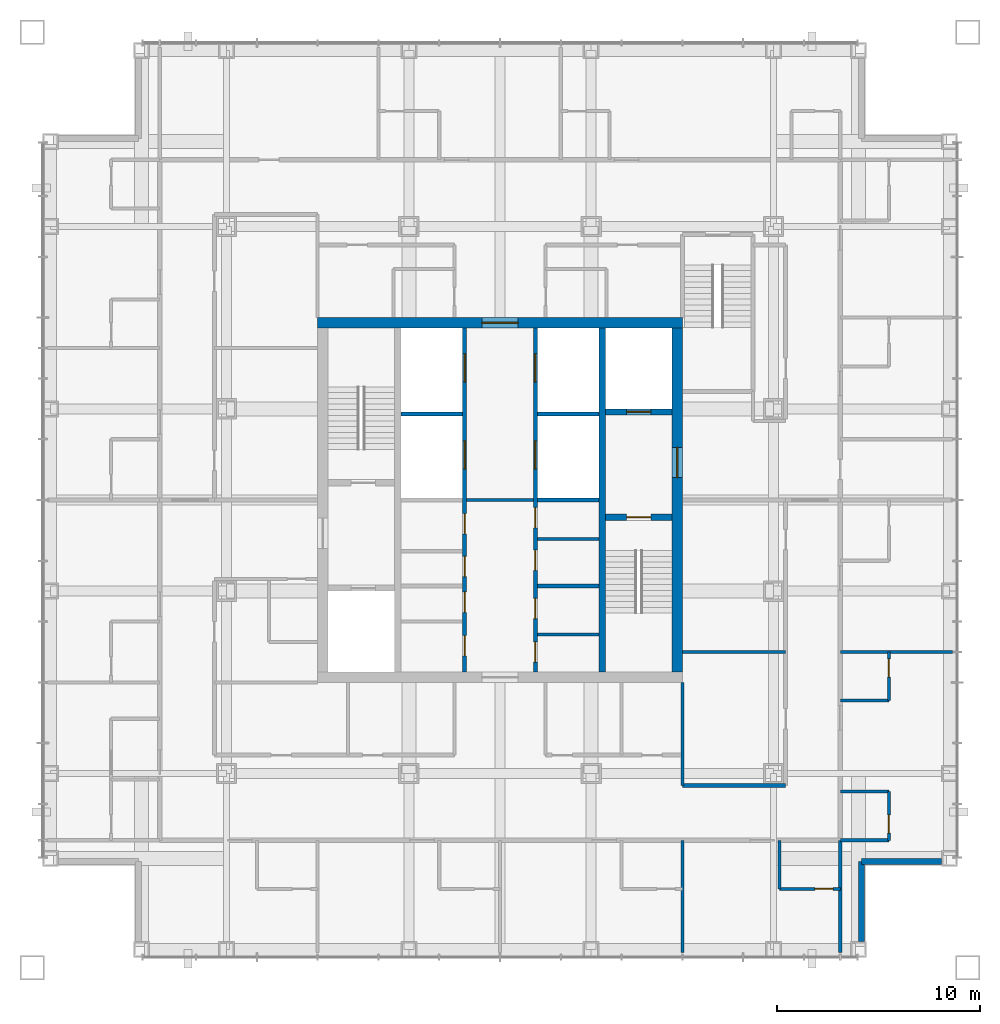
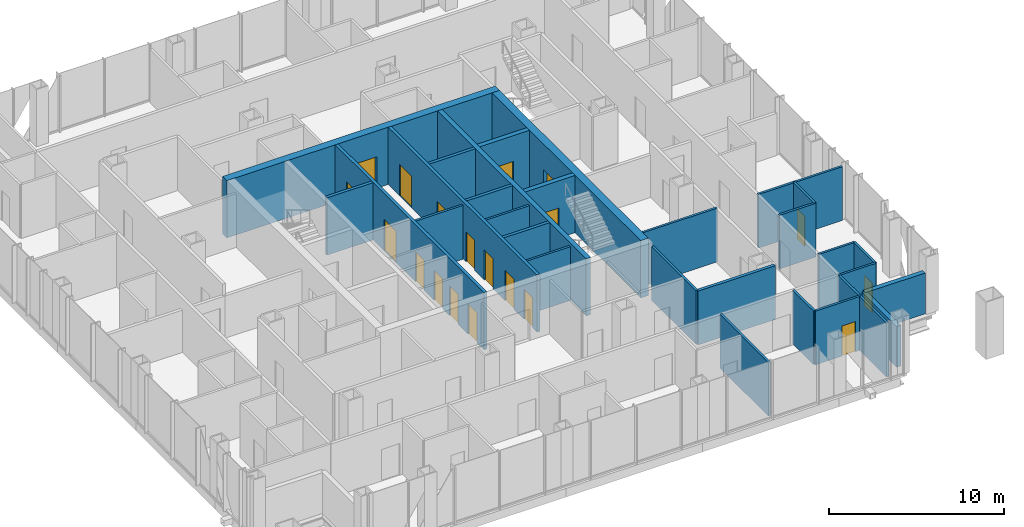
# One storey, part 9 of 12: 29 walls, 19 doors, 19 openings.
"""IFC4 building model written with IfcOpenShell, lengths in metres."""

from ifc_helpers import new_model, si_unit, direction, frame, frame_2d, origin, place, context, subcontext, project, spatial, rectangle, extrude, material, layer, layer_set, type_object, element, fill, save


model = new_model("IFC4")

# Units and contexts
model_context = context("Model", 3, precision=1e-05, world=origin(), true_north=direction((0.0, 1.0)))
body_context = subcontext(model_context, "Body", "Model", "MODEL_VIEW")
ifc_project = project(units=[si_unit("LENGTHUNIT", "METRE"), si_unit("AREAUNIT", "SQUARE_METRE"), si_unit("VOLUMEUNIT", "CUBIC_METRE"), si_unit("PLANEANGLEUNIT", "RADIAN"), si_unit("MASSUNIT", "GRAM", prefix="KILO")], contexts=[model_context])

# Site, building, storey
site_placement = place(None, origin())
site = spatial("IfcSite", under=ifc_project, at=site_placement, CompositionType="ELEMENT")
building_placement = place(site_placement, origin())
building = spatial("IfcBuilding", under=site, at=building_placement, Name="Malebo Sky Hospital", CompositionType="ELEMENT")
storey_placement = place(building_placement, frame((0.0, 0.0, 221.0)))
storey = spatial("IfcBuildingStorey", under=building, at=storey_placement, Name="L53", CompositionType="ELEMENT", Elevation=221.0)

# Wall, openings, doors
ifc_material_1 = material(Name="Concrete C80/95", Category="concrete")
ifc_layer_1 = layer(ifc_material_1, 0.199951171875)
ifc_layer_set_1 = layer_set([ifc_layer_1], Name="CORE INNER WALL 200")
wall_type_1 = type_object("IfcWallType", Name="CORE INNER WALL 200", PredefinedType="SHEAR", material=ifc_layer_set_1)
wall_1_placement = place(storey_placement, frame((58.25, 53.5, 0.0), z_axis=(0.0, 0.0, 1.0), x_axis=(0.0, 1.0, 0.0)))
wall_1 = element("IfcWall", 1, at=wall_1_placement, inside=storey, type_object=wall_type_1, Name="Core wall LW L53", PredefinedType="SHEAR", context=body_context, shape_type="SweptSolid", body=[
    extrude(rectangle(XDim=17.0, YDim=0.199951171875, at=frame_2d((8.5, 0.0))), origin(), (0.0, 0.0, 1.0), 4.0),
])
opening_1_placement = place(wall_1_placement, frame((0.8076171875, 0.0, 0.0)))
opening_1 = element("IfcOpeningElement", 2, at=opening_1_placement, cuts=wall_1, Name="Opening D17", PredefinedType="OPENING", context=body_context, shape_type="SweptSolid", body=[
    extrude(rectangle(XDim=1.0, YDim=2.10009765625, at=frame_2d((0.5, 1.050048828125))), frame((0.0, 0.10986328125, 0.0), z_axis=(0.0, -1.0, 0.0), x_axis=(1.0, 0.0, 0.0)), (0.0, 0.0, 1.0), 0.219970703125),
])
opening_2_placement = place(wall_1_placement, frame((2.95751953125, 0.0, 0.0)))
opening_2 = element("IfcOpeningElement", 3, at=opening_2_placement, cuts=wall_1, Name="Opening D17", PredefinedType="OPENING", context=body_context, shape_type="SweptSolid", body=[
    extrude(rectangle(XDim=1.0, YDim=2.10009765625, at=frame_2d((0.5, 1.050048828125))), frame((0.0, 0.10986328125, 0.0), z_axis=(0.0, -1.0, 0.0), x_axis=(1.0, 0.0, 0.0)), (0.0, 0.0, 1.0), 0.219970703125),
])
opening_3_placement = place(wall_1_placement, frame((4.722412109375, 0.0, 0.0)))
opening_3 = element("IfcOpeningElement", 4, at=opening_3_placement, cuts=wall_1, Name="Opening D17", PredefinedType="OPENING", context=body_context, shape_type="SweptSolid", body=[
    extrude(rectangle(XDim=1.0, YDim=2.10009765625, at=frame_2d((0.5, 1.050048828125))), frame((0.0, 0.10986328125, 0.0), z_axis=(0.0, -1.0, 0.0), x_axis=(1.0, 0.0, 0.0)), (0.0, 0.0, 1.0), 0.219970703125),
])
opening_4_placement = place(wall_1_placement, frame((6.822509765625, 0.0, 0.0)))
opening_4 = element("IfcOpeningElement", 5, at=opening_4_placement, cuts=wall_1, Name="Opening D17", PredefinedType="OPENING", context=body_context, shape_type="SweptSolid", body=[
    extrude(rectangle(XDim=1.0, YDim=2.10009765625, at=frame_2d((0.5, 1.050048828125))), frame((0.0, 0.10986328125, 0.0), z_axis=(0.0, -1.0, 0.0), x_axis=(1.0, 0.0, 0.0)), (0.0, 0.0, 1.0), 0.219970703125),
])
opening_5_placement = place(wall_1_placement, frame((10.02490234375, 0.0, 0.0)))
opening_5 = element("IfcOpeningElement", 6, at=opening_5_placement, cuts=wall_1, Name="Opening LD1", PredefinedType="OPENING", context=body_context, shape_type="SweptSolid", body=[
    extrude(rectangle(XDim=1.39990234375, YDim=2.199951171875, at=frame_2d((0.699951171875, 1.10009765625))), frame((0.0, 0.10986328125, 0.0), z_axis=(0.0, -1.0, 0.0), x_axis=(1.0, 0.0, 0.0)), (0.0, 0.0, 1.0), 0.219970703125),
])
opening_6_placement = place(wall_1_placement, frame((14.324951171875, 0.0, 0.0)))
opening_6 = element("IfcOpeningElement", 7, at=opening_6_placement, cuts=wall_1, Name="Opening LD1", PredefinedType="OPENING", context=body_context, shape_type="SweptSolid", body=[
    extrude(rectangle(XDim=1.39990234375, YDim=2.199951171875, at=frame_2d((0.699951171875, 1.10009765625))), frame((0.0, 0.10986328125, 0.0), z_axis=(0.0, -1.0, 0.0), x_axis=(1.0, 0.0, 0.0)), (0.0, 0.0, 1.0), 0.219970703125),
])
ifc_material_2 = material(Name="Hardwood-faced door leaf in steel frame", Category="steel")
door_type_1 = type_object("IfcDoorType", Name="FIRE DOOR 1000", OperationType="SINGLE_SWING_LEFT", PredefinedType="DOOR", material=ifc_material_2)
door_1_placement = place(opening_1_placement, origin())
door_1 = element("IfcDoor", 8, at=door_1_placement, inside=storey, type_object=door_type_1, Name="Mattress store door", OperationType="SINGLE_SWING_RIGHT", OverallHeight=2.10009765625, OverallWidth=1.0, PredefinedType="DOOR", context=body_context, shape_type="SweptSolid", body=[
    extrude(rectangle(XDim=1.0, YDim=2.10009765625, at=frame_2d((0.5, 1.050048828125))), frame((0.0, 0.02490234375, 0.0), z_axis=(0.0, -1.0, 0.0), x_axis=(1.0, 0.0, 0.0)), (0.0, 0.0, 1.0), 0.050048828125),
])
fill(opening_1, door_1)
door_2_placement = place(opening_2_placement, origin())
door_2 = element("IfcDoor", 9, at=door_2_placement, inside=storey, type_object=door_type_1, Name="Cleaning equipment store door", OperationType="SINGLE_SWING_RIGHT", OverallHeight=2.10009765625, OverallWidth=1.0, PredefinedType="DOOR", context=body_context, shape_type="SweptSolid", body=[
    extrude(rectangle(XDim=1.0, YDim=2.10009765625, at=frame_2d((0.5, 1.050048828125))), frame((0.0, 0.02490234375, 0.0), z_axis=(0.0, -1.0, 0.0), x_axis=(1.0, 0.0, 0.0)), (0.0, 0.0, 1.0), 0.050048828125),
])
fill(opening_2, door_2)
door_3_placement = place(opening_3_placement, origin())
door_3 = element("IfcDoor", 10, at=door_3_placement, inside=storey, type_object=door_type_1, Name="Archive store door", OperationType="SINGLE_SWING_RIGHT", OverallHeight=2.10009765625, OverallWidth=1.0, PredefinedType="DOOR", context=body_context, shape_type="SweptSolid", body=[
    extrude(rectangle(XDim=1.0, YDim=2.10009765625, at=frame_2d((0.5, 1.050048828125))), frame((0.0, 0.02490234375, 0.0), z_axis=(0.0, -1.0, 0.0), x_axis=(1.0, 0.0, 0.0)), (0.0, 0.0, 1.0), 0.050048828125),
])
fill(opening_3, door_3)
door_4_placement = place(opening_4_placement, origin())
door_4 = element("IfcDoor", 11, at=door_4_placement, inside=storey, type_object=door_type_1, Name="General store door", OperationType="SINGLE_SWING_RIGHT", OverallHeight=2.10009765625, OverallWidth=1.0, PredefinedType="DOOR", context=body_context, shape_type="SweptSolid", body=[
    extrude(rectangle(XDim=1.0, YDim=2.10009765625, at=frame_2d((0.5, 1.050048828125))), frame((0.0, 0.02490234375, 0.0), z_axis=(0.0, -1.0, 0.0), x_axis=(1.0, 0.0, 0.0)), (0.0, 0.0, 1.0), 0.050048828125),
])
fill(opening_4, door_4)
ifc_material_3 = material(Name="Stainless steel sliding landing door", Category="steel")
door_type_2 = type_object("IfcDoorType", Name="LIFT LANDING DOOR 1400", OperationType="SLIDING_TO_LEFT", PredefinedType="DOOR", material=ifc_material_3)
door_5_placement = place(opening_5_placement, origin())
door_5 = element("IfcDoor", 12, at=door_5_placement, inside=storey, type_object=door_type_2, Name="Lift W3 landing door", OperationType="SLIDING_TO_LEFT", OverallHeight=2.199951171875, OverallWidth=1.39990234375, PredefinedType="DOOR", context=body_context, shape_type="SweptSolid", body=[
    extrude(rectangle(XDim=1.39990234375, YDim=2.199951171875, at=frame_2d((0.699951171875, 1.10009765625))), frame((0.0, 0.02490234375, 0.0), z_axis=(0.0, -1.0, 0.0), x_axis=(1.0, 0.0, 0.0)), (0.0, 0.0, 1.0), 0.050048828125),
])
fill(opening_5, door_5)
door_6_placement = place(opening_6_placement, origin())
door_6 = element("IfcDoor", 13, at=door_6_placement, inside=storey, type_object=door_type_2, Name="Lift W4 landing door", OperationType="SLIDING_TO_LEFT", OverallHeight=2.199951171875, OverallWidth=1.39990234375, PredefinedType="DOOR", context=body_context, shape_type="SweptSolid", body=[
    extrude(rectangle(XDim=1.39990234375, YDim=2.199951171875, at=frame_2d((0.699951171875, 1.10009765625))), frame((0.0, 0.02490234375, 0.0), z_axis=(0.0, -1.0, 0.0), x_axis=(1.0, 0.0, 0.0)), (0.0, 0.0, 1.0), 0.050048828125),
])
fill(opening_6, door_6)

wall_2_placement = place(storey_placement, frame((61.75, 53.5, 0.0), z_axis=(0.0, 0.0, 1.0), x_axis=(0.0, 1.0, 0.0)))
wall_2 = element("IfcWall", 14, at=wall_2_placement, inside=storey, type_object=wall_type_1, Name="Core wall LE L53", PredefinedType="SHEAR", context=body_context, shape_type="SweptSolid", body=[
    extrude(rectangle(XDim=17.0, YDim=0.199951171875, at=frame_2d((8.5, 0.0))), origin(), (0.0, 0.0, 1.0), 4.0),
])
opening_7_placement = place(wall_2_placement, frame((0.49609375, 0.0, 0.0)))
opening_7 = element("IfcOpeningElement", 15, at=opening_7_placement, cuts=wall_2, Name="Opening D17", PredefinedType="OPENING", context=body_context, shape_type="SweptSolid", body=[
    extrude(rectangle(XDim=1.0, YDim=2.10009765625, at=frame_2d((0.5, 1.050048828125))), frame((0.0, 0.10986328125, 0.0), z_axis=(0.0, -1.0, 0.0), x_axis=(1.0, 0.0, 0.0)), (0.0, 0.0, 1.0), 0.219970703125),
])
opening_8_placement = place(wall_2_placement, frame((2.64599609375, 0.0, 0.0)))
opening_8 = element("IfcOpeningElement", 16, at=opening_8_placement, cuts=wall_2, Name="Opening D17", PredefinedType="OPENING", context=body_context, shape_type="SweptSolid", body=[
    extrude(rectangle(XDim=1.0, YDim=2.10009765625, at=frame_2d((0.5, 1.050048828125))), frame((0.0, 0.10986328125, 0.0), z_axis=(0.0, -1.0, 0.0), x_axis=(1.0, 0.0, 0.0)), (0.0, 0.0, 1.0), 0.219970703125),
])
opening_9_placement = place(wall_2_placement, frame((5.026611328125, 0.0, 0.0)))
opening_9 = element("IfcOpeningElement", 17, at=opening_9_placement, cuts=wall_2, Name="Opening D17", PredefinedType="OPENING", context=body_context, shape_type="SweptSolid", body=[
    extrude(rectangle(XDim=1.0, YDim=2.10009765625, at=frame_2d((0.5, 1.050048828125))), frame((0.0, 0.10986328125, 0.0), z_axis=(0.0, -1.0, 0.0), x_axis=(1.0, 0.0, 0.0)), (0.0, 0.0, 1.0), 0.219970703125),
])
opening_10_placement = place(wall_2_placement, frame((7.12646484375, 0.0, 0.0)))
opening_10 = element("IfcOpeningElement", 18, at=opening_10_placement, cuts=wall_2, Name="Opening D17", PredefinedType="OPENING", context=body_context, shape_type="SweptSolid", body=[
    extrude(rectangle(XDim=1.0, YDim=2.10009765625, at=frame_2d((0.5, 1.050048828125))), frame((0.0, 0.10986328125, 0.0), z_axis=(0.0, -1.0, 0.0), x_axis=(1.0, 0.0, 0.0)), (0.0, 0.0, 1.0), 0.219970703125),
])
opening_11_placement = place(wall_2_placement, frame((10.02490234375, 0.0, 0.0)))
opening_11 = element("IfcOpeningElement", 19, at=opening_11_placement, cuts=wall_2, Name="Opening LD1", PredefinedType="OPENING", context=body_context, shape_type="SweptSolid", body=[
    extrude(rectangle(XDim=1.39990234375, YDim=2.199951171875, at=frame_2d((0.699951171875, 1.10009765625))), frame((0.0, 0.10986328125, 0.0), z_axis=(0.0, -1.0, 0.0), x_axis=(1.0, 0.0, 0.0)), (0.0, 0.0, 1.0), 0.219970703125),
])
opening_12_placement = place(wall_2_placement, frame((14.324951171875, 0.0, 0.0)))
opening_12 = element("IfcOpeningElement", 20, at=opening_12_placement, cuts=wall_2, Name="Opening LD1", PredefinedType="OPENING", context=body_context, shape_type="SweptSolid", body=[
    extrude(rectangle(XDim=1.39990234375, YDim=2.199951171875, at=frame_2d((0.699951171875, 1.10009765625))), frame((0.0, 0.10986328125, 0.0), z_axis=(0.0, -1.0, 0.0), x_axis=(1.0, 0.0, 0.0)), (0.0, 0.0, 1.0), 0.219970703125),
])
door_7_placement = place(opening_7_placement, origin())
door_7 = element("IfcDoor", 21, at=door_7_placement, inside=storey, type_object=door_type_1, Name="Records store door", OperationType="SINGLE_SWING_RIGHT", OverallHeight=2.10009765625, OverallWidth=1.0, PredefinedType="DOOR", context=body_context, shape_type="SweptSolid", body=[
    extrude(rectangle(XDim=1.0, YDim=2.10009765625, at=frame_2d((0.5, 1.050048828125))), frame((0.0, 0.02490234375, 0.0), z_axis=(0.0, -1.0, 0.0), x_axis=(1.0, 0.0, 0.0)), (0.0, 0.0, 1.0), 0.050048828125),
])
fill(opening_7, door_7)
door_8_placement = place(opening_8_placement, origin())
door_8 = element("IfcDoor", 22, at=door_8_placement, inside=storey, type_object=door_type_1, Name="Equipment store door", OperationType="SINGLE_SWING_RIGHT", OverallHeight=2.10009765625, OverallWidth=1.0, PredefinedType="DOOR", context=body_context, shape_type="SweptSolid", body=[
    extrude(rectangle(XDim=1.0, YDim=2.10009765625, at=frame_2d((0.5, 1.050048828125))), frame((0.0, 0.02490234375, 0.0), z_axis=(0.0, -1.0, 0.0), x_axis=(1.0, 0.0, 0.0)), (0.0, 0.0, 1.0), 0.050048828125),
])
fill(opening_8, door_8)
door_9_placement = place(opening_9_placement, origin())
door_9 = element("IfcDoor", 23, at=door_9_placement, inside=storey, type_object=door_type_1, Name="Linen store door", OperationType="SINGLE_SWING_RIGHT", OverallHeight=2.10009765625, OverallWidth=1.0, PredefinedType="DOOR", context=body_context, shape_type="SweptSolid", body=[
    extrude(rectangle(XDim=1.0, YDim=2.10009765625, at=frame_2d((0.5, 1.050048828125))), frame((0.0, 0.02490234375, 0.0), z_axis=(0.0, -1.0, 0.0), x_axis=(1.0, 0.0, 0.0)), (0.0, 0.0, 1.0), 0.050048828125),
])
fill(opening_9, door_9)
door_10_placement = place(opening_10_placement, origin())
door_10 = element("IfcDoor", 24, at=door_10_placement, inside=storey, type_object=door_type_1, Name="Supplies store door", OperationType="SINGLE_SWING_RIGHT", OverallHeight=2.10009765625, OverallWidth=1.0, PredefinedType="DOOR", context=body_context, shape_type="SweptSolid", body=[
    extrude(rectangle(XDim=1.0, YDim=2.10009765625, at=frame_2d((0.5, 1.050048828125))), frame((0.0, 0.02490234375, 0.0), z_axis=(0.0, -1.0, 0.0), x_axis=(1.0, 0.0, 0.0)), (0.0, 0.0, 1.0), 0.050048828125),
])
fill(opening_10, door_10)
door_11_placement = place(opening_11_placement, origin())
door_11 = element("IfcDoor", 25, at=door_11_placement, inside=storey, type_object=door_type_2, Name="Lift E3 landing door", OperationType="SLIDING_TO_LEFT", OverallHeight=2.199951171875, OverallWidth=1.39990234375, PredefinedType="DOOR", context=body_context, shape_type="SweptSolid", body=[
    extrude(rectangle(XDim=1.39990234375, YDim=2.199951171875, at=frame_2d((0.699951171875, 1.10009765625))), frame((0.0, 0.02490234375, 0.0), z_axis=(0.0, -1.0, 0.0), x_axis=(1.0, 0.0, 0.0)), (0.0, 0.0, 1.0), 0.050048828125),
])
fill(opening_11, door_11)
door_12_placement = place(opening_12_placement, origin())
door_12 = element("IfcDoor", 26, at=door_12_placement, inside=storey, type_object=door_type_2, Name="Lift E4 landing door", OperationType="SLIDING_TO_LEFT", OverallHeight=2.199951171875, OverallWidth=1.39990234375, PredefinedType="DOOR", context=body_context, shape_type="SweptSolid", body=[
    extrude(rectangle(XDim=1.39990234375, YDim=2.199951171875, at=frame_2d((0.699951171875, 1.10009765625))), frame((0.0, 0.02490234375, 0.0), z_axis=(0.0, -1.0, 0.0), x_axis=(1.0, 0.0, 0.0)), (0.0, 0.0, 1.0), 0.050048828125),
])
fill(opening_12, door_12)

# Walls
for number, where, z_axis, x_axis, name in (
    (27, (61.85009765625, 57.75, 0.0), (0.0, 0.0, 1.0), (1.0, 0.0, 0.0), "Core wall SE0 L53"),
    (28, (61.85009765625, 62.0, 0.0), (0.0, 0.0, 1.0), (1.0, 0.0, 0.0), "Core wall SE1 L53"),
    (29, (55.10009765625, 66.25, 0.0), (0.0, 0.0, 1.0), (1.0, 0.0, 0.0), "Core wall SW2 L53"),
    (30, (61.85009765625, 66.25, 0.0), (0.0, 0.0, 1.0), (1.0, 0.0, 0.0), "Core wall SE2 L53"),
):
    element("IfcWall", number, at=place(storey_placement, frame(where, z_axis=z_axis, x_axis=x_axis)), inside=storey, type_object=wall_type_1, Name=name, PredefinedType="SHEAR", context=body_context, shape_type="SweptSolid", body=[
        extrude(rectangle(XDim=3.0498046875, YDim=0.199951171875, at=frame_2d((1.52490234375, 0.0))), origin(), (0.0, 0.0, 1.0), 4.0),
    ])
ifc_layer_2 = layer(ifc_material_1, 0.300048828125)
ifc_layer_set_2 = layer_set([ifc_layer_2], Name="CORE INNER WALL 300")
wall_type_2 = type_object("IfcWallType", Name="CORE INNER WALL 300", PredefinedType="SHEAR", material=ifc_layer_set_2)
wall_3_placement = place(storey_placement, frame((65.050048828125, 53.5, 0.0), z_axis=(0.0, 0.0, 1.0), x_axis=(0.0, 1.0, 0.0)))
element("IfcWall", 31, at=wall_3_placement, inside=storey, type_object=wall_type_2, Name="Core wall XE L53", PredefinedType="SHEAR", context=body_context, shape_type="SweptSolid", body=[
    extrude(rectangle(XDim=17.0, YDim=0.300048828125, at=frame_2d((8.5, 0.0))), origin(), (0.0, 0.0, 1.0), 4.0),
])

# Wall, opening, door
wall_4_placement = place(storey_placement, frame((65.199951171875, 61.14990234375, 0.0), z_axis=(0.0, 0.0, 1.0), x_axis=(1.0, 0.0, 0.0)))
wall_4 = element("IfcWall", 32, at=wall_4_placement, inside=storey, type_object=wall_type_2, Name="Core wall E1 L53", PredefinedType="SHEAR", context=body_context, shape_type="SweptSolid", body=[
    extrude(rectangle(XDim=3.300048828125, YDim=0.300048828125, at=frame_2d((1.64990234375, 0.0))), origin(), (0.0, 0.0, 1.0), 4.0),
])
opening_13_placement = place(wall_4_placement, frame((1.050048828125, 0.0, 0.0)))
opening_13 = element("IfcOpeningElement", 33, at=opening_13_placement, cuts=wall_4, Name="Opening D08", PredefinedType="OPENING", context=body_context, shape_type="SweptSolid", body=[
    extrude(rectangle(XDim=1.199951171875, YDim=2.10009765625, at=frame_2d((0.60009765625, 1.050048828125))), frame((0.0, 0.159912109375, 0.0), z_axis=(0.0, -1.0, 0.0), x_axis=(1.0, 0.0, 0.0)), (0.0, 0.0, 1.0), 0.320068359375),
])
door_type_3 = type_object("IfcDoorType", Name="STAIR DOOR 1200", OperationType="SINGLE_SWING_LEFT", PredefinedType="DOOR", material=ifc_material_2)
door_13_placement = place(opening_13_placement, origin())
door_13 = element("IfcDoor", 34, at=door_13_placement, inside=storey, type_object=door_type_3, Name="Stair S2 door", OperationType="SINGLE_SWING_LEFT", OverallHeight=2.10009765625, OverallWidth=1.199951171875, PredefinedType="DOOR", context=body_context, shape_type="SweptSolid", body=[
    extrude(rectangle(XDim=1.199951171875, YDim=2.10009765625, at=frame_2d((0.60009765625, 1.050048828125))), frame((0.0, 0.02490234375, 0.0), z_axis=(0.0, -1.0, 0.0), x_axis=(1.0, 0.0, 0.0)), (0.0, 0.0, 1.0), 0.050048828125),
])
fill(opening_13, door_13)

wall_5_placement = place(storey_placement, frame((65.199951171875, 66.35009765625, 0.0), z_axis=(0.0, 0.0, 1.0), x_axis=(1.0, 0.0, 0.0)))
wall_5 = element("IfcWall", 35, at=wall_5_placement, inside=storey, type_object=wall_type_2, Name="Core wall E2 L53", PredefinedType="SHEAR", context=body_context, shape_type="SweptSolid", body=[
    extrude(rectangle(XDim=3.300048828125, YDim=0.300048828125, at=frame_2d((1.64990234375, 0.0))), origin(), (0.0, 0.0, 1.0), 4.0),
])
opening_14_placement = place(wall_5_placement, frame((1.050048828125, 0.0, 0.0)))
opening_14 = element("IfcOpeningElement", 36, at=opening_14_placement, cuts=wall_5, Name="Opening LD2", PredefinedType="OPENING", context=body_context, shape_type="SweptSolid", body=[
    extrude(rectangle(XDim=1.199951171875, YDim=2.199951171875, at=frame_2d((0.60009765625, 1.10009765625))), frame((0.0, 0.159912109375, 0.0), z_axis=(0.0, -1.0, 0.0), x_axis=(1.0, 0.0, 0.0)), (0.0, 0.0, 1.0), 0.320068359375),
])
door_type_4 = type_object("IfcDoorType", Name="FIRE-FIGHTING LIFT LANDING DOOR 1200", OperationType="SLIDING_TO_LEFT", PredefinedType="DOOR", material=ifc_material_3)
door_14_placement = place(opening_14_placement, origin())
door_14 = element("IfcDoor", 37, at=door_14_placement, inside=storey, type_object=door_type_4, Name="Lift FL2 landing door", OperationType="SLIDING_TO_LEFT", OverallHeight=2.199951171875, OverallWidth=1.199951171875, PredefinedType="DOOR", context=body_context, shape_type="SweptSolid", body=[
    extrude(rectangle(XDim=1.199951171875, YDim=2.199951171875, at=frame_2d((0.60009765625, 1.10009765625))), frame((0.0, 0.02490234375, 0.0), z_axis=(0.0, -1.0, 0.0), x_axis=(1.0, 0.0, 0.0)), (0.0, 0.0, 1.0), 0.050048828125),
])
fill(opening_14, door_14)

ifc_layer_3 = layer(ifc_material_1, 0.5)
ifc_layer_set_3 = layer_set([ifc_layer_3], Name="CORE WALL 500")
wall_type_3 = type_object("IfcWallType", Name="CORE WALL 500", PredefinedType="SHEAR", material=ifc_layer_set_3)
wall_6_placement = place(storey_placement, frame((51.0, 70.75, 0.0), z_axis=(0.0, 0.0, 1.0), x_axis=(1.0, 0.0, 0.0)))
wall_6 = element("IfcWall", 38, at=wall_6_placement, inside=storey, type_object=wall_type_3, Name="Core wall N L53", PredefinedType="SHEAR", context=body_context, shape_type="SweptSolid", body=[
    extrude(rectangle(XDim=18.0, YDim=0.5, at=frame_2d((9.0, 0.0))), origin(), (0.0, 0.0, 1.0), 4.0),
])
opening_15_placement = place(wall_6_placement, frame((8.10009765625, 0.0, 0.0)))
opening_15 = element("IfcOpeningElement", 39, at=opening_15_placement, cuts=wall_6, Name="Opening D06", PredefinedType="OPENING", context=body_context, shape_type="SweptSolid", body=[
    extrude(rectangle(XDim=1.800048828125, YDim=2.199951171875, at=frame_2d((0.89990234375, 1.10009765625))), frame((0.0, 0.260009765625, 0.0), z_axis=(0.0, -1.0, 0.0), x_axis=(1.0, 0.0, 0.0)), (0.0, 0.0, 1.0), 0.52001953125),
])
door_type_5 = type_object("IfcDoorType", Name="LOBBY DOOR PAIR 1800", OperationType="DOUBLE_DOOR_SINGLE_SWING", PredefinedType="DOOR", material=ifc_material_2)
door_15_placement = place(opening_15_placement, origin())
door_15 = element("IfcDoor", 40, at=door_15_placement, inside=storey, type_object=door_type_5, Name="Lift lobby door north", OperationType="DOUBLE_DOOR_SINGLE_SWING", OverallHeight=2.199951171875, OverallWidth=1.800048828125, PredefinedType="DOOR", context=body_context, shape_type="SweptSolid", body=[
    extrude(rectangle(XDim=1.800048828125, YDim=2.199951171875, at=frame_2d((0.89990234375, 1.10009765625))), frame((0.0, 0.02490234375, 0.0), z_axis=(0.0, -1.0, 0.0), x_axis=(1.0, 0.0, 0.0)), (0.0, 0.0, 1.0), 0.050048828125),
])
fill(opening_15, door_15)

wall_7_placement = place(storey_placement, frame((68.75, 53.5, 0.0), z_axis=(0.0, 0.0, 1.0), x_axis=(0.0, 1.0, 0.0)))
wall_7 = element("IfcWall", 41, at=wall_7_placement, inside=storey, type_object=wall_type_3, Name="Core wall E L53", PredefinedType="SHEAR", context=body_context, shape_type="SweptSolid", body=[
    extrude(rectangle(XDim=17.0, YDim=0.5, at=frame_2d((8.5, 0.0))), origin(), (0.0, 0.0, 1.0), 4.0),
])
opening_16_placement = place(wall_7_placement, frame((9.60009765625, 0.0, 0.0)))
opening_16 = element("IfcOpeningElement", 42, at=opening_16_placement, cuts=wall_7, Name="Opening D07", PredefinedType="OPENING", context=body_context, shape_type="SweptSolid", body=[
    extrude(rectangle(XDim=1.5, YDim=2.199951171875, at=frame_2d((0.75, 1.10009765625))), frame((0.0, 0.260009765625, 0.0), z_axis=(0.0, -1.0, 0.0), x_axis=(1.0, 0.0, 0.0)), (0.0, 0.0, 1.0), 0.52001953125),
])
door_type_6 = type_object("IfcDoorType", Name="FIRE-FIGHTING LOBBY DOOR PAIR 1500", OperationType="DOUBLE_DOOR_SINGLE_SWING", PredefinedType="DOOR", material=ifc_material_2)
door_16_placement = place(opening_16_placement, origin())
door_16 = element("IfcDoor", 43, at=door_16_placement, inside=storey, type_object=door_type_6, Name="Fire-fighting lobby door east", OperationType="DOUBLE_DOOR_SINGLE_SWING", OverallHeight=2.199951171875, OverallWidth=1.5, PredefinedType="DOOR", context=body_context, shape_type="SweptSolid", body=[
    extrude(rectangle(XDim=1.5, YDim=2.199951171875, at=frame_2d((0.75, 1.10009765625))), frame((0.0, 0.02490234375, 0.0), z_axis=(0.0, -1.0, 0.0), x_axis=(1.0, 0.0, 0.0)), (0.0, 0.0, 1.0), 0.050048828125),
])
fill(opening_16, door_16)

# Walls
ifc_material_4 = material(Name="Gypsum board on steel studs", Category="steel")
ifc_layer_4 = layer(ifc_material_4, 0.199951171875)
ifc_layer_set_4 = layer_set([ifc_layer_4], Name="CORRIDOR WALL 200")
wall_type_4 = type_object("IfcWallType", Name="CORRIDOR WALL 200", PredefinedType="PARTITIONING", material=ifc_layer_set_4)
wall_8_placement = place(storey_placement, frame((74.10009765625, 47.89990234375, 0.0), z_axis=(0.0, 0.0, 1.0), x_axis=(-1.0, 0.0, 0.0)))
element("IfcWall", 44, at=wall_8_placement, inside=storey, type_object=wall_type_4, Name="Corridor Wall 200 SCIK", PredefinedType="PARTITIONING", context=body_context, shape_type="SweptSolid", body=[
    extrude(rectangle(XDim=5.10009765625, YDim=0.199951171875, at=frame_2d((2.550048828125, 0.0))), origin(), (0.0, 0.0, 1.0), 3.75),
])
ifc_material_5 = material(Name="Anodised aluminium rainscreen on steel framing", Category="steel")
ifc_layer_5 = layer(ifc_material_5, 0.300048828125)
ifc_layer_set_5 = layer_set([ifc_layer_5], Name="NOTCH RAINSCREEN WALL 300")
wall_type_5 = type_object("IfcWallType", Name="NOTCH RAINSCREEN WALL 300", PredefinedType="ELEMENTEDWALL", material=ifc_layer_set_5)
for number, where, z_axis, x_axis, name in (
    (45, (81.800048828125, 44.14990234375, 0.0), (0.0, 0.0, 1.0), (-1.0, 0.0, 0.0), "Notch rainscreen wall E1 L53"),
    (46, (77.85009765625, 44.14990234375, 0.0), (0.0, 0.0, 1.0), (0.0, -1.0, 0.0), "Notch rainscreen wall E2 L53"),
):
    element("IfcWall", number, at=place(storey_placement, frame(where, z_axis=z_axis, x_axis=x_axis)), inside=storey, type_object=wall_type_5, Name=name, PredefinedType="ELEMENTEDWALL", context=body_context, shape_type="SweptSolid", body=[
        extrude(rectangle(XDim=3.949951171875, YDim=0.300048828125, at=frame_2d((1.97509765625, 0.0))), origin(), (0.0, 0.0, 1.0), 2.85009765625),
    ])
ifc_layer_6 = layer(ifc_material_4, 0.14990234375)
ifc_layer_set_6 = layer_set([ifc_layer_6], Name="PARTITION 150")
wall_type_6 = type_object("IfcWallType", Name="PARTITION 150", PredefinedType="PARTITIONING", material=ifc_layer_set_6)
for number, where, z_axis, x_axis, name in (
    (47, (69.0, 45.199951171875, 0.0), (0.0, 0.0, 1.0), (0.0, -1.0, 0.0), "Partition 150 SP-9.0"),
    (48, (76.800048828125, 45.199951171875, 0.0), (0.0, 0.0, 1.0), (0.0, -1.0, 0.0), "Partition 150 SP0"),
):
    element("IfcWall", number, at=place(storey_placement, frame(where, z_axis=z_axis, x_axis=x_axis)), inside=storey, type_object=wall_type_6, Name=name, PredefinedType="PARTITIONING", context=body_context, shape_type="SweptSolid", body=[
        extrude(rectangle(XDim=5.550048828125, YDim=0.14990234375, at=frame_2d((2.77490234375, 0.0))), origin(), (0.0, 0.0, 1.0), 3.75),
    ])

# Wall, opening, door
wall_9_placement = place(storey_placement, frame((76.800048828125, 42.800048828125, 0.0), z_axis=(0.0, 0.0, 1.0), x_axis=(-1.0, 0.0, 0.0)))
wall_9 = element("IfcWall", 49, at=wall_9_placement, inside=storey, type_object=wall_type_6, Name="Partition 150 SE0F", PredefinedType="PARTITIONING", context=body_context, shape_type="SweptSolid", body=[
    extrude(rectangle(XDim=3.0, YDim=0.14990234375, at=frame_2d((1.5, 0.0))), origin(), (0.0, 0.0, 1.0), 3.75),
])
opening_17_placement = place(wall_9_placement, frame((0.35009765625, 0.0, 0.0)))
opening_17 = element("IfcOpeningElement", 50, at=opening_17_placement, cuts=wall_9, Name="Opening D02", PredefinedType="OPENING", context=body_context, shape_type="SweptSolid", body=[
    extrude(rectangle(XDim=0.89990234375, YDim=2.10009765625, at=frame_2d((0.449951171875, 1.050048828125))), frame((0.0, 0.0849609375, 0.0), z_axis=(0.0, -1.0, 0.0), x_axis=(1.0, 0.0, 0.0)), (0.0, 0.0, 1.0), 0.169921875),
])
door_type_7 = type_object("IfcDoorType", Name="EN-SUITE DOOR 900", OperationType="SINGLE_SWING_LEFT", PredefinedType="DOOR", material=ifc_material_2)
door_17_placement = place(opening_17_placement, origin())
door_17 = element("IfcDoor", 51, at=door_17_placement, inside=storey, type_object=door_type_7, Name="En-suite door", OperationType="SINGLE_SWING_LEFT", OverallHeight=2.10009765625, OverallWidth=0.89990234375, PredefinedType="DOOR", context=body_context, shape_type="SweptSolid", body=[
    extrude(rectangle(XDim=0.89990234375, YDim=2.10009765625, at=frame_2d((0.449951171875, 1.050048828125))), frame((0.0, 0.02490234375, 0.0), z_axis=(0.0, -1.0, 0.0), x_axis=(1.0, 0.0, 0.0)), (0.0, 0.0, 1.0), 0.050048828125),
])
fill(opening_17, door_17)

# Walls
wall_10_placement = place(storey_placement, frame((73.800048828125, 45.199951171875, 0.0), z_axis=(0.0, 0.0, 1.0), x_axis=(0.0, -1.0, 0.0)))
element("IfcWall", 52, at=wall_10_placement, inside=storey, type_object=wall_type_6, Name="Partition 150 SE0S", PredefinedType="PARTITIONING", context=body_context, shape_type="SweptSolid", body=[
    extrude(rectangle(XDim=2.39990234375, YDim=0.14990234375, at=frame_2d((1.199951171875, 0.0))), origin(), (0.0, 0.0, 1.0), 3.75),
])
wall_11_placement = place(storey_placement, frame((69.0, 53.0, 0.0), z_axis=(0.0, 0.0, 1.0), x_axis=(0.0, -1.0, 0.0)))
element("IfcWall", 53, at=wall_11_placement, inside=storey, type_object=wall_type_6, Name="Partition 150 SSP0", PredefinedType="PARTITIONING", context=body_context, shape_type="SweptSolid", body=[
    extrude(rectangle(XDim=5.10009765625, YDim=0.14990234375, at=frame_2d((2.550048828125, 0.0))), origin(), (0.0, 0.0, 1.0), 3.75),
])
wall_12_placement = place(storey_placement, frame((76.800048828125, 54.5, 0.0), z_axis=(0.0, 0.0, 1.0), x_axis=(1.0, 0.0, 0.0)))
element("IfcWall", 54, at=wall_12_placement, inside=storey, type_object=wall_type_6, Name="Partition 150 EP+7.5", PredefinedType="PARTITIONING", context=body_context, shape_type="SweptSolid", body=[
    extrude(rectangle(XDim=5.550048828125, YDim=0.14990234375, at=frame_2d((2.77490234375, 0.0))), origin(), (0.0, 0.0, 1.0), 3.75),
])

# Wall, opening, door
wall_13_placement = place(storey_placement, frame((79.199951171875, 54.5, 0.0), z_axis=(0.0, 0.0, 1.0), x_axis=(0.0, -1.0, 0.0)))
wall_13 = element("IfcWall", 55, at=wall_13_placement, inside=storey, type_object=wall_type_6, Name="Partition 150 EE4F", PredefinedType="PARTITIONING", context=body_context, shape_type="SweptSolid", body=[
    extrude(rectangle(XDim=2.39990234375, YDim=0.14990234375, at=frame_2d((1.199951171875, 0.0))), origin(), (0.0, 0.0, 1.0), 3.75),
])
opening_18_placement = place(wall_13_placement, frame((0.35009765625, 0.0, 0.0)))
opening_18 = element("IfcOpeningElement", 56, at=opening_18_placement, cuts=wall_13, Name="Opening D02", PredefinedType="OPENING", context=body_context, shape_type="SweptSolid", body=[
    extrude(rectangle(XDim=0.89990234375, YDim=2.10009765625, at=frame_2d((0.449951171875, 1.050048828125))), frame((0.0, 0.0849609375, 0.0), z_axis=(0.0, -1.0, 0.0), x_axis=(1.0, 0.0, 0.0)), (0.0, 0.0, 1.0), 0.169921875),
])
door_18_placement = place(opening_18_placement, origin())
door_18 = element("IfcDoor", 57, at=door_18_placement, inside=storey, type_object=door_type_7, Name="En-suite door", OperationType="SINGLE_SWING_LEFT", OverallHeight=2.10009765625, OverallWidth=0.89990234375, PredefinedType="DOOR", context=body_context, shape_type="SweptSolid", body=[
    extrude(rectangle(XDim=0.89990234375, YDim=2.10009765625, at=frame_2d((0.449951171875, 1.050048828125))), frame((0.0, 0.02490234375, 0.0), z_axis=(0.0, -1.0, 0.0), x_axis=(1.0, 0.0, 0.0)), (0.0, 0.0, 1.0), 0.050048828125),
])
fill(opening_18, door_18)

# Wall
wall_14_placement = place(storey_placement, frame((76.800048828125, 52.10009765625, 0.0), z_axis=(0.0, 0.0, 1.0), x_axis=(1.0, 0.0, 0.0)))
element("IfcWall", 58, at=wall_14_placement, inside=storey, type_object=wall_type_6, Name="Partition 150 EE4S", PredefinedType="PARTITIONING", context=body_context, shape_type="SweptSolid", body=[
    extrude(rectangle(XDim=2.39990234375, YDim=0.14990234375, at=frame_2d((1.199951171875, 0.0))), origin(), (0.0, 0.0, 1.0), 3.75),
])

# Wall, opening, door
wall_15_placement = place(storey_placement, frame((79.199951171875, 47.60009765625, 0.0), z_axis=(0.0, 0.0, 1.0), x_axis=(0.0, -1.0, 0.0)))
wall_15 = element("IfcWall", 59, at=wall_15_placement, inside=storey, type_object=wall_type_6, Name="Partition 150 EG4F", PredefinedType="PARTITIONING", context=body_context, shape_type="SweptSolid", body=[
    extrude(rectangle(XDim=2.400146484375, YDim=0.14990234375, at=frame_2d((1.2001953125, 0.0))), origin(), (0.0, 0.0, 1.0), 3.75),
])
opening_19_placement = place(wall_15_placement, frame((1.14990234375, 0.0, 0.0)))
opening_19 = element("IfcOpeningElement", 60, at=opening_19_placement, cuts=wall_15, Name="Opening D02", PredefinedType="OPENING", context=body_context, shape_type="SweptSolid", body=[
    extrude(rectangle(XDim=0.89990234375, YDim=2.10009765625, at=frame_2d((0.449951171875, 1.050048828125))), frame((0.0, 0.0849609375, 0.0), z_axis=(0.0, -1.0, 0.0), x_axis=(1.0, 0.0, 0.0)), (0.0, 0.0, 1.0), 0.169921875),
])
door_19_placement = place(opening_19_placement, origin())
door_19 = element("IfcDoor", 61, at=door_19_placement, inside=storey, type_object=door_type_7, Name="En-suite door", OperationType="SINGLE_SWING_RIGHT", OverallHeight=2.10009765625, OverallWidth=0.89990234375, PredefinedType="DOOR", context=body_context, shape_type="SweptSolid", body=[
    extrude(rectangle(XDim=0.89990234375, YDim=2.10009765625, at=frame_2d((0.449951171875, 1.050048828125))), frame((0.0, 0.02490234375, 0.0), z_axis=(0.0, -1.0, 0.0), x_axis=(1.0, 0.0, 0.0)), (0.0, 0.0, 1.0), 0.050048828125),
])
fill(opening_19, door_19)

# Walls
for number, where, z_axis, x_axis, name in (
    (62, (76.800048828125, 47.60009765625, 0.0), (0.0, 0.0, 1.0), (1.0, 0.0, 0.0), "Partition 150 EG4S"),
    (63, (76.800048828125, 45.199951171875, 0.0), (0.0, 0.0, 1.0), (1.0, 0.0, 0.0), "Partition 150 EEZ"),
):
    element("IfcWall", number, at=place(storey_placement, frame(where, z_axis=z_axis, x_axis=x_axis)), inside=storey, type_object=wall_type_6, Name=name, PredefinedType="PARTITIONING", context=body_context, shape_type="SweptSolid", body=[
        extrude(rectangle(XDim=2.39990234375, YDim=0.14990234375, at=frame_2d((1.199951171875, 0.0))), origin(), (0.0, 0.0, 1.0), 3.75),
    ])
wall_16_placement = place(storey_placement, frame((69.0, 54.5, 0.0), z_axis=(0.0, 0.0, 1.0), x_axis=(1.0, 0.0, 0.0)))
element("IfcWall", 64, at=wall_16_placement, inside=storey, type_object=wall_type_6, Name="Partition 150 ESP+7.5", PredefinedType="PARTITIONING", context=body_context, shape_type="SweptSolid", body=[
    extrude(rectangle(XDim=5.10009765625, YDim=0.14990234375, at=frame_2d((2.550048828125, 0.0))), origin(), (0.0, 0.0, 1.0), 3.75),
])
for number, where, z_axis, x_axis, name in (
    (65, (61.85009765625, 55.366943359375, 0.0), (0.0, 0.0, 1.0), (1.0, 0.0, 0.0), "Partition 150 SHE1"),
    (66, (61.85009765625, 60.077880859375, 0.0), (0.0, 0.0, 1.0), (1.0, 0.0, 0.0), "Partition 150 SHE2"),
):
    element("IfcWall", number, at=place(storey_placement, frame(where, z_axis=z_axis, x_axis=x_axis)), inside=storey, type_object=wall_type_6, Name=name, PredefinedType="PARTITIONING", context=body_context, shape_type="SweptSolid", body=[
        extrude(rectangle(XDim=3.0498046875, YDim=0.14990234375, at=frame_2d((1.52490234375, 0.0))), origin(), (0.0, 0.0, 1.0), 3.75),
    ])
wall_17_placement = place(storey_placement, frame((58.35009765625, 62.0, 0.0), z_axis=(0.0, 0.0, 1.0), x_axis=(1.0, 0.0, 0.0)))
element("IfcWall", 67, at=wall_17_placement, inside=storey, type_object=wall_type_6, Name="Partition 150 LBS", PredefinedType="PARTITIONING", context=body_context, shape_type="SweptSolid", body=[
    extrude(rectangle(XDim=3.2998046875, YDim=0.14990234375, at=frame_2d((1.64990234375, 0.0))), origin(), (0.0, 0.0, 1.0), 3.75),
])

save(model, "model.ifc")
